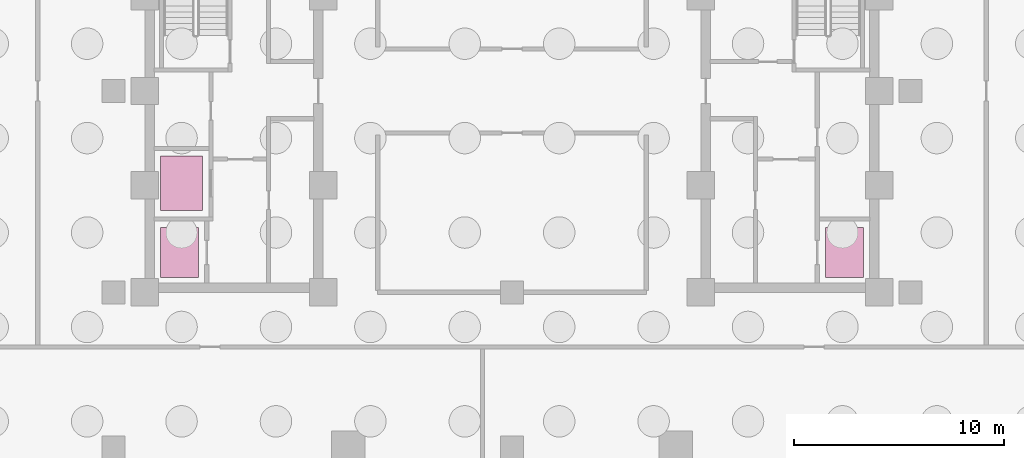
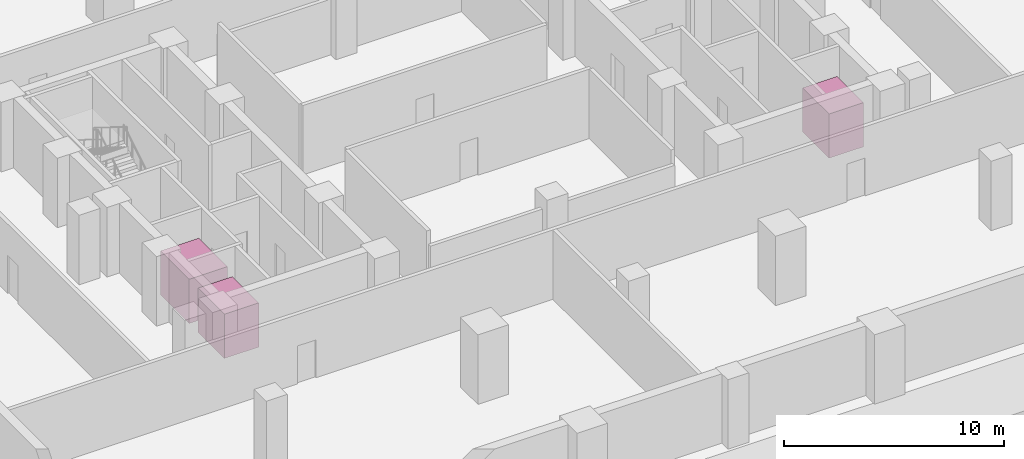
# One storey, part 6 of 6: 3 transport elements.
"""IFC4 building model written with IfcOpenShell, lengths in metres."""

from ifc_helpers import new_model, si_unit, direction, frame, origin, origin_2d, place, context, subcontext, project, spatial, rectangle, extrude, source, transform, mapped, material, type_object, type_shapes, element, save


model = new_model("IFC4")

# Units and contexts
model_context = context("Model", 3, precision=1e-05, world=origin(), true_north=direction((0.0, 1.0)))
body_context = subcontext(model_context, "Body", "Model", "MODEL_VIEW")
ifc_project = project(units=[si_unit("LENGTHUNIT", "METRE"), si_unit("AREAUNIT", "SQUARE_METRE"), si_unit("VOLUMEUNIT", "CUBIC_METRE"), si_unit("PLANEANGLEUNIT", "RADIAN"), si_unit("MASSUNIT", "GRAM", prefix="KILO")], contexts=[model_context])

# Site, building, storey
site_placement = place(None, origin())
site = spatial("IfcSite", under=ifc_project, at=site_placement, CompositionType="ELEMENT")
building_placement = place(site_placement, origin())
building = spatial("IfcBuilding", under=site, at=building_placement, Name="Nuvemarco Arch Tower", CompositionType="ELEMENT")
storey_placement = place(building_placement, frame((0.0, 0.0, -8.39990234375)))
storey = spatial("IfcBuildingStorey", under=building, at=storey_placement, Name="B02", CompositionType="ELEMENT", Elevation=-8.39990234375)

# Transport elements
ifc_material = material(Name="Stainless steel lift car", Category="steel")
transport_element_type_1 = type_object("IfcTransportElementType", Name="LFT-FIRE-1800-FFL-1", PredefinedType="ELEVATOR", material=ifc_material)
shared_shape_1 = source(origin(), body_context, "Body", "SweptSolid", [
    extrude(rectangle(XDim=1.800048828125, YDim=2.39990234375, at=origin_2d()), origin(), (0.0, 0.0, 1.0), 2.449951171875),
])
type_shapes(transport_element_type_1, [shared_shape_1])
transport_element_1_placement = place(storey_placement, frame((-15.85009765625, -7.699951171875, 0.0), z_axis=(0.0, 0.0, 1.0), x_axis=(1.0, 0.0, 0.0)))
element("IfcTransportElement", 1, at=transport_element_1_placement, inside=storey, type_object=transport_element_type_1, Name="Firefighting lift FFL-1", PredefinedType="ELEVATOR", context=body_context, shape_type="MappedRepresentation", body=[
    mapped(shared_shape_1, transform((0.0, 0.0, 0.0), scale=1.0)),
])
transport_element_type_2 = type_object("IfcTransportElementType", Name="LFT-SERV-2500-SVL-1", PredefinedType="ELEVATOR", material=ifc_material)
shared_shape_2 = source(origin(), body_context, "Body", "SweptSolid", [
    extrude(rectangle(XDim=2.0, YDim=2.60009765625, at=origin_2d()), origin(), (0.0, 0.0, 1.0), 2.449951171875),
])
type_shapes(transport_element_type_2, [shared_shape_2])
transport_element_2_placement = place(storey_placement, frame((-15.75, -4.39990234375, 0.0), z_axis=(0.0, 0.0, 1.0), x_axis=(1.0, 0.0, 0.0)))
element("IfcTransportElement", 2, at=transport_element_2_placement, inside=storey, type_object=transport_element_type_2, Name="Goods service lift SVL-1", PredefinedType="ELEVATOR", context=body_context, shape_type="MappedRepresentation", body=[
    mapped(shared_shape_2, transform((0.0, 0.0, 0.0), scale=1.0)),
])
transport_element_type_3 = type_object("IfcTransportElementType", Name="LFT-FIRE-1800-FFL-2", PredefinedType="ELEVATOR", material=ifc_material)
shared_shape_3 = source(origin(), body_context, "Body", "SweptSolid", [
    extrude(rectangle(XDim=1.800048828125, YDim=2.39990234375, at=origin_2d()), origin(), (0.0, 0.0, 1.0), 2.449951171875),
])
type_shapes(transport_element_type_3, [shared_shape_3])
transport_element_3_placement = place(storey_placement, frame((15.85009765625, -7.699951171875, 0.0), z_axis=(0.0, 0.0, 1.0), x_axis=(1.0, 0.0, 0.0)))
element("IfcTransportElement", 3, at=transport_element_3_placement, inside=storey, type_object=transport_element_type_3, Name="Firefighting lift FFL-2", PredefinedType="ELEVATOR", context=body_context, shape_type="MappedRepresentation", body=[
    mapped(shared_shape_3, transform((0.0, 0.0, 0.0), scale=1.0)),
])

save(model, "model.ifc")
